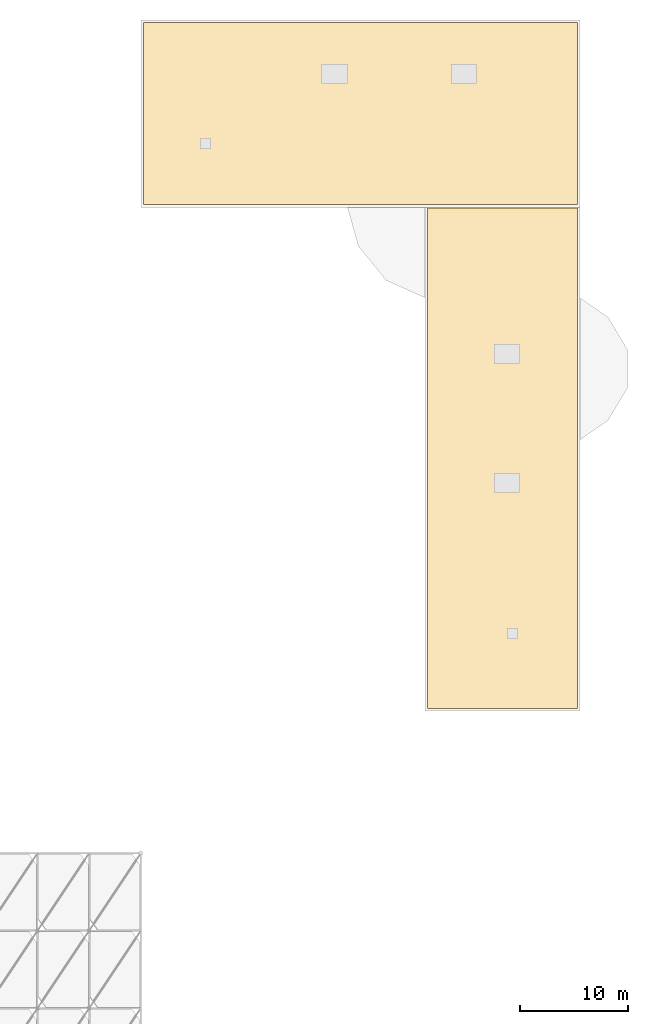
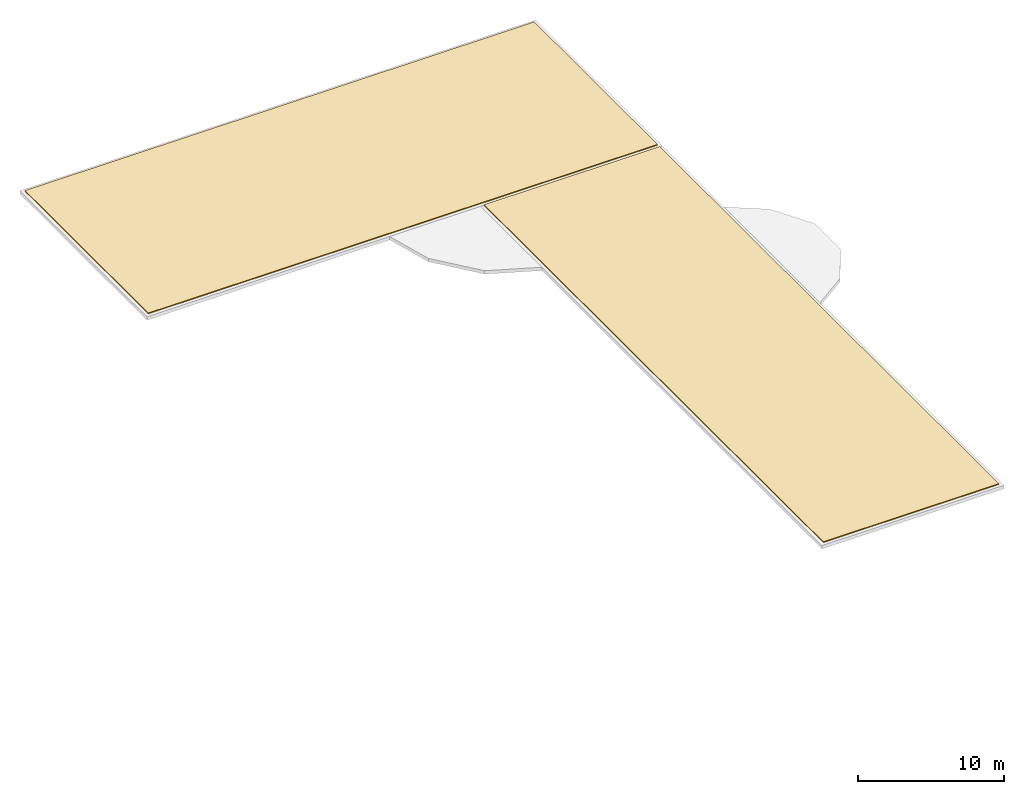
# One storey, part 9 of 9: 2 coverings.
"""IFC4 building model written with IfcOpenShell, lengths in metres."""

from ifc_helpers import new_model, si_unit, direction, frame, origin, place, context, subcontext, project, spatial, polyline, outline, extrude, material, layer, layer_set, type_object, element, save


model = new_model("IFC4")

# Units and contexts
model_context = context("Model", 3, precision=1e-05, world=origin(), true_north=direction((0.0, 1.0)))
body_context = subcontext(model_context, "Body", "Model", "MODEL_VIEW")
ifc_project = project(units=[si_unit("LENGTHUNIT", "METRE"), si_unit("AREAUNIT", "SQUARE_METRE"), si_unit("VOLUMEUNIT", "CUBIC_METRE"), si_unit("PLANEANGLEUNIT", "RADIAN"), si_unit("MASSUNIT", "GRAM", prefix="KILO")], contexts=[model_context])

# Site, building, storey
site_placement = place(None, origin())
site = spatial("IfcSite", under=ifc_project, at=site_placement, CompositionType="ELEMENT")
building_placement = place(site_placement, origin())
building = spatial("IfcBuilding", under=site, at=building_placement, Name="Kahlenmark Community Centre", CompositionType="ELEMENT")
storey_placement = place(building_placement, frame((0.0, 0.0, 25.199951171875)))
storey = spatial("IfcBuildingStorey", under=building, at=storey_placement, Name="RF", CompositionType="ELEMENT", Elevation=25.199951171875)

# Coverings
ifc_material = material(Name="Extensive sedum green roof substrate")
ifc_layer = layer(ifc_material, 0.080078125)
ifc_layer_set = layer_set([ifc_layer], Name="Extensive sedum green roof substrate")
covering_type = type_object("IfcCoveringType", Name="CVT-ROOF-GRN", PredefinedType="ROOFING", material=ifc_layer_set)
covering_1_placement = place(storey_placement, origin())
element("IfcCovering", 1, at=covering_1_placement, inside=storey, type_object=covering_type, Name="Roof membrane 09", PredefinedType="ROOFING", context=body_context, shape_type="SweptSolid", body=[
    extrude(outline(polyline([(46.25, 97.85009765625), (86.550048828125, 97.85009765625), (86.550048828125, 114.75), (46.25, 114.75), (46.25, 97.85009765625)])), origin(), (0.0, 0.0, 1.0), 0.080078125),
])
covering_2_placement = place(storey_placement, origin())
element("IfcCovering", 2, at=covering_2_placement, inside=storey, type_object=covering_type, Name="Roof membrane 10", PredefinedType="ROOFING", context=body_context, shape_type="SweptSolid", body=[
    extrude(outline(polyline([(72.64990234375, 51.050048828125), (86.550048828125, 51.050048828125), (86.550048828125, 97.550048828125), (72.64990234375, 97.550048828125), (72.64990234375, 51.050048828125)])), origin(), (0.0, 0.0, 1.0), 0.080078125),
])

save(model, "model.ifc")
